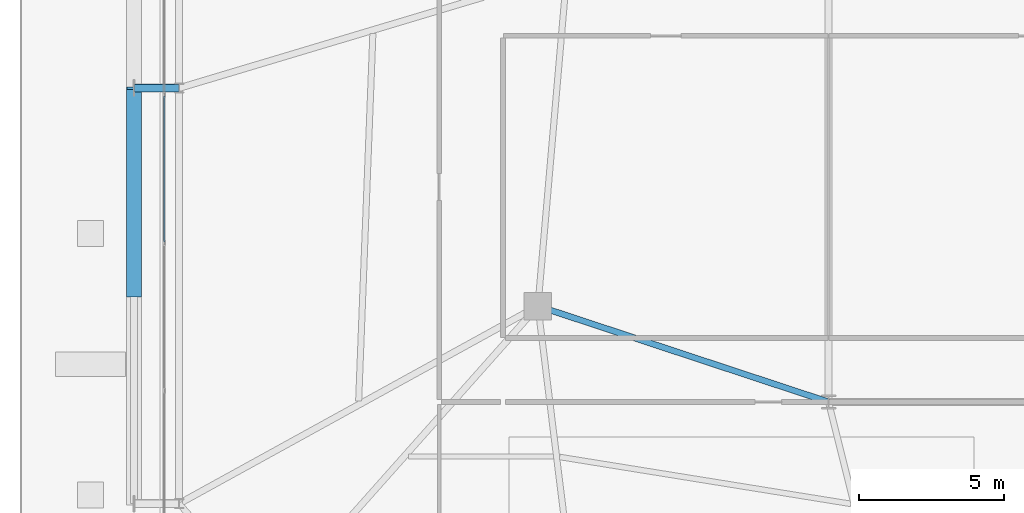
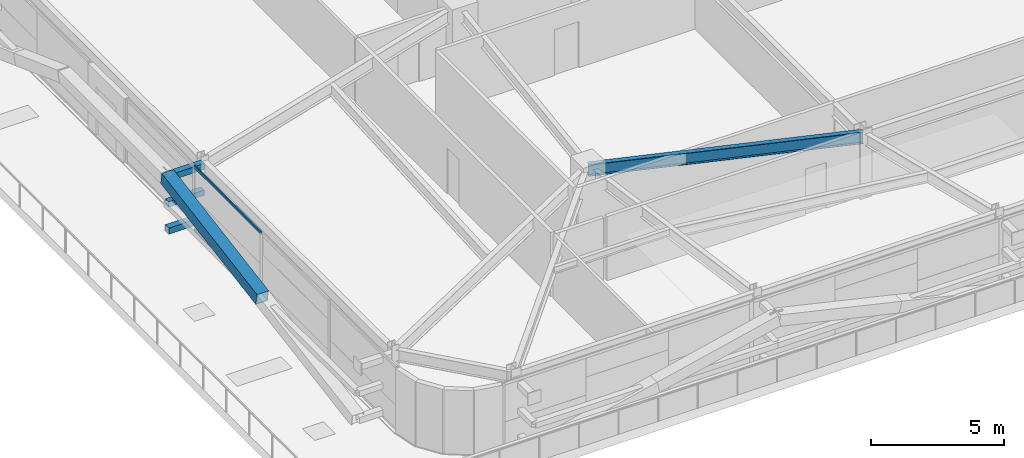
# One storey, part 13 of 56: 6 members, 1 beam, 1 element without a shape of its own.
"""IFC4 building model written with IfcOpenShell, lengths in metres."""

from ifc_helpers import new_model, si_unit, direction, frame, origin, origin_2d, place, context, subcontext, project, spatial, hollow_rectangle, i_section, extrude, source, transform, mapped, material, layer, layer_set, material_profile, profile_set, type_object, element, aggregate, save


model = new_model("IFC4")

# Units and contexts
model_context = context("Model", 3, precision=1e-05, world=origin(), true_north=direction((0.0, 1.0)))
body_context = subcontext(model_context, "Body", "Model", "MODEL_VIEW")
ifc_project = project(units=[si_unit("LENGTHUNIT", "METRE"), si_unit("AREAUNIT", "SQUARE_METRE"), si_unit("VOLUMEUNIT", "CUBIC_METRE"), si_unit("PLANEANGLEUNIT", "RADIAN"), si_unit("MASSUNIT", "GRAM", prefix="KILO")], contexts=[model_context])

# Site, building, storey
site_placement = place(None, origin())
site = spatial("IfcSite", under=ifc_project, at=site_placement, CompositionType="ELEMENT")
building_placement = place(site_placement, origin())
building = spatial("IfcBuilding", under=site, at=building_placement, Name="Taldren Reach Tower", CompositionType="ELEMENT")
storey_placement = place(building_placement, frame((0.0, 0.0, 16.800048828125)))
storey = spatial("IfcBuildingStorey", under=building, at=storey_placement, Name="L04", CompositionType="ELEMENT", Elevation=16.800048828125)

# Beam
ifc_material_1 = material(Name="Steel Gr 350 (350PLUS)", Category="steel")
ifc_material_profile_1 = material_profile(ifc_material_1, i_section(OverallWidth=0.208984375, OverallDepth=0.532958984375, WebThickness=0.01025390625, FlangeThickness=0.015625, at=origin_2d()), Name="530UB92.4")
ifc_profile_set_1 = profile_set([ifc_material_profile_1], Name="Steel Gr 350 (350PLUS)")
beam_type = type_object("IfcBeamType", Name="BM-UB530A", PredefinedType="BEAM", material=ifc_profile_set_1)
shared_shape_1 = source(origin(), body_context, "Body", "SweptSolid", [
    extrude(i_section(OverallWidth=0.208984375, OverallDepth=0.532958984375, WebThickness=0.01025390625, FlangeThickness=0.015625, at=origin_2d()), origin(), (0.0, 0.0, 1.0), 10.530517578125),
])
beam_placement = place(storey_placement, frame((18.0, 12.5, 2.663330078125), z_axis=(0.949627269203, -0.313381635689, 0.0), x_axis=(0.313381635689, 0.949627269203, 0.0)))
element("IfcBeam", 1, at=beam_placement, inside=storey, type_object=beam_type, Name="Core-spine girder L04-SP10", PredefinedType="BEAM", context=body_context, shape_type="MappedRepresentation", body=[
    mapped(shared_shape_1, transform((0.0, 0.0, 0.0), scale=1.0)),
])

# Members
ifc_material_2 = material(Name="Steel Gr 450 (C450L0)", Category="steel")
ifc_material_profile_2 = material_profile(ifc_material_2, hollow_rectangle(XDim=0.27490234375, YDim=0.27490234375, WallThickness=0.00927734375, at=origin_2d()), Name="275x275x9.3SHS")
ifc_profile_set_2 = profile_set([ifc_material_profile_2], Name="Steel Gr 450 (C450L0)")
member_type_1 = type_object("IfcMemberType", Name="MB-TIE273", PredefinedType="STRUT", material=ifc_profile_set_2)
shared_shape_2 = source(origin(), body_context, "Body", "SweptSolid", [
    extrude(hollow_rectangle(XDim=0.27490234375, YDim=0.27490234375, WallThickness=0.00927734375, at=origin_2d()), origin(), (0.0, 0.0, 1.0), 1.5498046875),
])
for number, where, z_axis, x_axis, name in (
    (2, (5.64990234375, 20.0, 2.64990234375), (-1.0, 0.0, 0.0), (0.0, -1.0, 0.0), "Exoskeleton diaphragm tie strut B1-W2 L04"),
    (3, (5.64990234375, 20.0, 0.219970703125), (-1.0, 0.0, 0.0), (0.0, -1.0, 0.0), "Exoskeleton base diaphragm tie strut B1-W2 L04"),
):
    element("IfcMember", number, at=place(storey_placement, frame(where, z_axis=z_axis, x_axis=x_axis)), inside=storey, type_object=member_type_1, Name=name, PredefinedType="STRUT", context=body_context, shape_type="MappedRepresentation", body=[
        mapped(shared_shape_2, transform((0.0, 0.0, 0.0), scale=1.0)),
    ])
ifc_material_3 = material(Name="Steel Gr 350 (C350L0)", Category="steel")
ifc_material_profile_3 = material_profile(ifc_material_3, hollow_rectangle(XDim=0.25, YDim=0.25, WallThickness=0.010009765625, at=origin_2d()), Name="250x250x10.0SHS")
ifc_profile_set_3 = profile_set([ifc_material_profile_3], Name="Steel Gr 350 (C350L0)")
member_type_2 = type_object("IfcMemberType", Name="MB-POST250", PredefinedType="POST", material=ifc_profile_set_3)
shared_shape_3 = source(origin(), body_context, "Body", "SweptSolid", [
    extrude(hollow_rectangle(XDim=0.25, YDim=0.25, WallThickness=0.010009765625, at=origin_2d()), origin(), (0.0, 0.0, 1.0), 1.5498046875),
])
member_1_placement = place(storey_placement, frame((5.64990234375, 20.0, 1.43505859375), z_axis=(-1.0, 0.0, 0.0), x_axis=(0.0, -1.0, 0.0)))
element("IfcMember", 4, at=member_1_placement, inside=storey, type_object=member_type_2, Name="Exoskeleton mid-tier diaphragm tie B1-W2 L04", PredefinedType="POST", context=body_context, shape_type="MappedRepresentation", body=[
    mapped(shared_shape_3, transform((0.0, 0.0, 0.0), scale=1.0)),
])
ifc_material_profile_4 = material_profile(ifc_material_2, hollow_rectangle(XDim=0.510009765625, YDim=0.510009765625, WallThickness=0.02001953125, at=origin_2d()), Name="510x510x20.0SHS")
ifc_profile_set_4 = profile_set([ifc_material_profile_4], Name="Steel Gr 450 (C450L0)")
member_type_3 = type_object("IfcMemberType", Name="MB-EXO508", PredefinedType="BRACE", material=ifc_profile_set_4)
shared_shape_4 = source(origin(), body_context, "Body", "SweptSolid", [
    extrude(hollow_rectangle(XDim=0.510009765625, YDim=0.510009765625, WallThickness=0.02001953125, at=origin_2d()), origin(), (0.0, 0.0, 1.0), 7.25244140625),
])
member_2_placement = place(storey_placement, frame((4.10009765625, 12.85009765625, 1.43505859375), z_axis=(0.0, 0.985870415536, 0.167509772168), x_axis=(-1.0, 0.0, 0.0)))
element("IfcMember", 5, at=member_2_placement, inside=storey, type_object=member_type_3, Name="Exoskeleton Diagrid Brace B1-W1 L04", PredefinedType="BRACE", context=body_context, shape_type="MappedRepresentation", body=[
    mapped(shared_shape_4, transform((0.0, 0.0, 0.0), scale=1.0)),
])

# Curtain wall, members
ifc_material_4 = material(Name="Aluminium and Low-E Glass Unitised System", Category="aluminium")
ifc_layer = layer(ifc_material_4, 0.159912109375)
ifc_layer_set = layer_set([ifc_layer], Name="Aluminium and Low-E Glass Unitised System")
curtain_wall_type = type_object("IfcCurtainWallType", Name="CW-SYS-2", PredefinedType="NOTDEFINED", material=ifc_layer_set)
curtain_wall_placement = place(storey_placement, origin())
curtain_wall = element("IfcCurtainWall", 6, at=curtain_wall_placement, inside=storey, type_object=curtain_wall_type, Name="Unitised curtain wall CW-L04-W2", PredefinedType="NOTDEFINED")
ifc_material_5 = material(Name="Anodised Aluminium 6063-T6", Category="aluminium")
ifc_material_profile_5 = material_profile(ifc_material_5, hollow_rectangle(XDim=0.054931640625, YDim=0.1201171875, WallThickness=0.0029296875, at=origin_2d()), Name="ALU-120x55x3RHS")
ifc_profile_set_5 = profile_set([ifc_material_profile_5], Name="Anodised Aluminium 6063-T6")
member_type_4 = type_object("IfcMemberType", Name="CW-TRN-135", PredefinedType="USERDEFINED", material=ifc_profile_set_5)
shared_shape_5 = source(origin(), body_context, "Body", "SweptSolid", [
    extrude(hollow_rectangle(XDim=0.054931640625, YDim=0.1201171875, WallThickness=0.0029296875, at=origin_2d()), origin(), (0.0, 0.0, 1.0), 5.0224609375),
])
member_3_placement = place(storey_placement, frame((5.139892578125, 19.72998046875, 0.02734375), z_axis=(0.0, -1.0, 0.0), x_axis=(1.0, 0.0, 0.0)))
member_3 = element("IfcMember", 7, at=member_3_placement, type_object=member_type_4, Name="CW-2 transom 2.1", ObjectType="TRANSOM", PredefinedType="USERDEFINED", context=body_context, shape_type="MappedRepresentation", body=[
    mapped(shared_shape_5, transform((0.0, 0.0, 0.0), scale=1.0)),
])
member_4_placement = place(storey_placement, frame((5.139892578125, 19.72998046875, 2.90234375), z_axis=(0.0, -1.0, 0.0), x_axis=(1.0, 0.0, 0.0)))
member_4 = element("IfcMember", 8, at=member_4_placement, type_object=member_type_4, Name="CW-2 transom 2.2", ObjectType="TRANSOM", PredefinedType="USERDEFINED", context=body_context, shape_type="MappedRepresentation", body=[
    mapped(shared_shape_5, transform((0.0, 0.0, 0.0), scale=1.0)),
])
aggregate(curtain_wall, [member_3, member_4])

save(model, "model.ifc")
